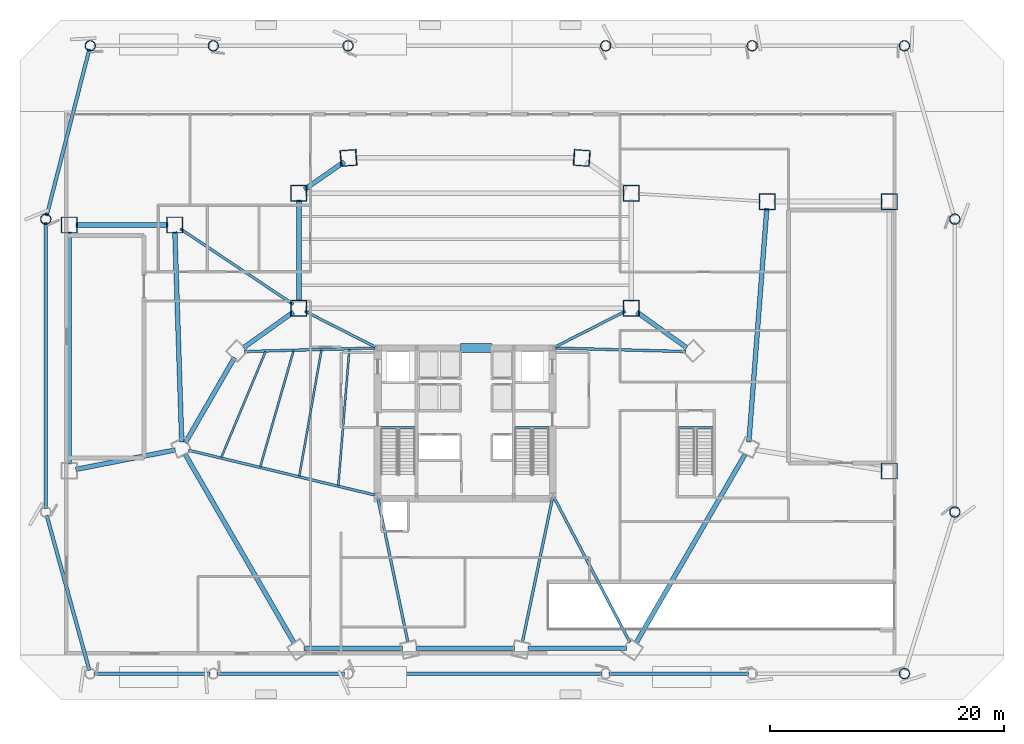
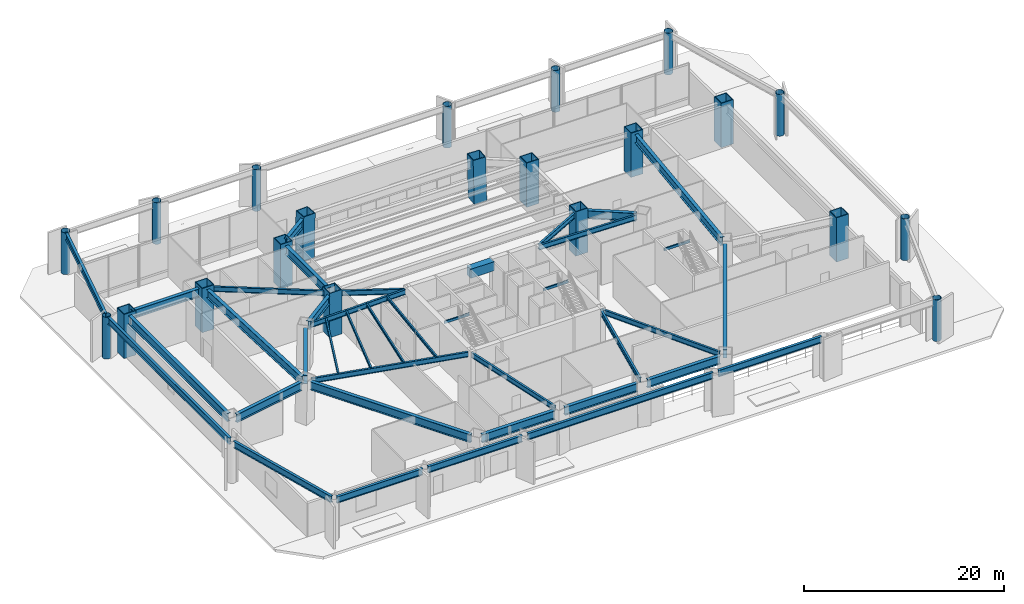
# One storey, part 3 of 19: 39 beams, 21 columns.
"""IFC4 building model written with IfcOpenShell, lengths in metres."""

import ifcopenshell
import ifcopenshell.guid

model = None  # the IFC model being written
_history = None  # IfcOwnerHistory: only IFC2X3 demands one
_inside = {}  # id of a spatial element -> (the spatial element, [elements in it])
_under = {}  # id of a project, library or spatial element -> (it, [spatial elements below it])
_declared = {}  # id of a project -> (the project, [libraries it declares])
_typed = {}  # id of a type object -> (the type object, [elements of that type])
_made_of = {}  # id of a material, layer set ... -> (it, [elements and type objects made of it])


def new_model(schema):
    """Start an empty IFC model of exactly this schema.

    Asked for "IFC4X3", IfcOpenShell would pick the latest addendum, in which some entities
    have other attributes; the version numbers below select the first issue.
    IFC2X3 requires an IfcOwnerHistory on every rooted entity: one is made here for all.
    """
    global model, _history
    if schema == "IFC4X3":
        model = ifcopenshell.file(schema_version=(4, 3, 0, 0))
    else:
        model = ifcopenshell.file(schema=schema)
    _inside.clear()
    _under.clear()
    _declared.clear()
    _typed.clear()
    _made_of.clear()
    _history = None
    if model.schema == "IFC2X3":
        org = make("IfcOrganization", Name="unknown")
        user = make(
            "IfcPersonAndOrganization",
            ThePerson=make("IfcPerson", FamilyName="unknown"),
            TheOrganization=org,
        )
        app = make(
            "IfcApplication",
            ApplicationDeveloper=org,
            Version="unknown",
            ApplicationFullName="unknown",
            ApplicationIdentifier="unknown",
        )
        _history = make(
            "IfcOwnerHistory",
            OwningUser=user,
            OwningApplication=app,
            ChangeAction="ADDED",
            CreationDate=0,
        )
    return model


def make(cls, **values):
    """One entity of the class cls with the attributes given. An attribute that is None is left unset."""
    return model.create_entity(
        cls, **{name: value for name, value in values.items() if value is not None}
    )


def rooted(cls, **values):
    """An entity with a GlobalId (a new one), such as an element, a storey or a relation."""
    return make(cls, GlobalId=ifcopenshell.guid.new(), OwnerHistory=_history, **values)


def si_unit(unit_type, name, prefix=None):
    """IfcSIUnit, for example si_unit("LENGTHUNIT", "METRE", prefix="MILLI")."""
    return make("IfcSIUnit", UnitType=unit_type, Prefix=prefix, Name=name)


def assignment(units):
    """IfcUnitAssignment: the units of a project."""
    return None if units is None else make("IfcUnitAssignment", Units=units)


def point(xyz):
    """IfcCartesianPoint."""
    return None if xyz is None else make("IfcCartesianPoint", Coordinates=xyz)


def direction(xyz):
    """IfcDirection."""
    return None if xyz is None else make("IfcDirection", DirectionRatios=xyz)


def frame(location, z_axis=None, x_axis=None):
    """IfcAxis2Placement3D, a coordinate frame: its origin and axes. An axis left out is left unset."""
    return make(
        "IfcAxis2Placement3D",
        Location=point(location),
        Axis=direction(z_axis),
        RefDirection=direction(x_axis),
    )


def frame_2d(location, x_axis=None):
    """IfcAxis2Placement2D, a coordinate frame in the plane: its origin and x axis."""
    return make(
        "IfcAxis2Placement2D", Location=point(location), RefDirection=direction(x_axis)
    )


def origin():
    """The frame at (0, 0, 0) with its axes left unset."""
    return frame((0.0, 0.0, 0.0))


def origin_2d():
    """The frame at (0, 0) in the plane with its x axis left unset."""
    return frame_2d((0.0, 0.0))


def place(relative_to, where):
    """IfcLocalPlacement: puts the frame where relative to a parent placement (None: the world)."""
    return make(
        "IfcLocalPlacement", PlacementRelTo=relative_to, RelativePlacement=where
    )


def context(
    kind, dimensions, precision=None, world=None, true_north=None, identifier=None
):
    """IfcGeometricRepresentationContext, for example the 3D "Model" context."""
    return make(
        "IfcGeometricRepresentationContext",
        ContextIdentifier=identifier,
        ContextType=kind,
        CoordinateSpaceDimension=dimensions,
        Precision=precision,
        WorldCoordinateSystem=world,
        TrueNorth=true_north,
    )


def subcontext(parent, identifier, kind, view, scale=None):
    """IfcGeometricRepresentationSubContext, for example "Body" below "Model"."""
    return make(
        "IfcGeometricRepresentationSubContext",
        ContextIdentifier=identifier,
        ContextType=kind,
        ParentContext=parent,
        TargetScale=scale,
        TargetView=view,
    )


def project(units=None, contexts=None):
    """IfcProject with its units and contexts."""
    return rooted(
        "IfcProject",
        Name="project",
        RepresentationContexts=contexts,
        UnitsInContext=assignment(units),
    )


def spatial(cls, under=None, at=None, **own):
    """A site, building, storey or space (cls), placed at a placement, below another one or the project."""
    s = rooted(cls, ObjectPlacement=at, **own)
    if under is not None:
        _under.setdefault(under.id(), (under, []))[1].append(s)
    return s


def profile(cls, at=None, kind="AREA", **sizes):
    """A parametric profile (cls). Its sizes go by their IFC names, for example OverallWidth=200.0."""
    return make(cls, ProfileType=kind, Position=at, **sizes)


def rectangle(**sizes):
    """IfcRectangleProfileDef."""
    return profile("IfcRectangleProfileDef", **sizes)


def hollow_rectangle(**sizes):
    """IfcRectangleHollowProfileDef."""
    return profile("IfcRectangleHollowProfileDef", **sizes)


def hollow_circle(**sizes):
    """IfcCircleHollowProfileDef."""
    return profile("IfcCircleHollowProfileDef", **sizes)


def i_section(**sizes):
    """IfcIShapeProfileDef."""
    return profile("IfcIShapeProfileDef", **sizes)


def extrude(swept, where, along, depth):
    """IfcExtrudedAreaSolid: the profile swept, set in the frame where, extruded along a direction by depth."""
    return make(
        "IfcExtrudedAreaSolid",
        SweptArea=swept,
        Position=where,
        ExtrudedDirection=direction(along),
        Depth=depth,
    )


def shape(context_of_items, identifier, shape_type, items):
    """IfcShapeRepresentation: the items that make up one representation, for example the "Body"."""
    return make(
        "IfcShapeRepresentation",
        ContextOfItems=context_of_items,
        RepresentationIdentifier=identifier,
        RepresentationType=shape_type,
        Items=items,
    )


def source(mapping_origin, context_of_items, identifier, shape_type, items):
    """IfcRepresentationMap: a shape defined once, which mapped items show again and again."""
    return make(
        "IfcRepresentationMap",
        MappingOrigin=mapping_origin,
        MappedRepresentation=shape(context_of_items, identifier, shape_type, items),
    )


def transform(
    local_origin,
    x_axis=None,
    y_axis=None,
    z_axis=None,
    scale=None,
    scale2=None,
    scale3=None,
    uniform=True,
):
    """IfcCartesianTransformationOperator3D, or its non-uniform kind. x_axis, y_axis, z_axis: its Axis1, 2, 3."""
    if uniform:
        return make(
            "IfcCartesianTransformationOperator3D",
            Axis1=direction(x_axis),
            Axis2=direction(y_axis),
            LocalOrigin=point(local_origin),
            Scale=scale,
            Axis3=direction(z_axis),
        )
    return make(
        "IfcCartesianTransformationOperator3DnonUniform",
        Axis1=direction(x_axis),
        Axis2=direction(y_axis),
        LocalOrigin=point(local_origin),
        Scale=scale,
        Axis3=direction(z_axis),
        Scale2=scale2,
        Scale3=scale3,
    )


def mapped(mapping_source, mapping_target):
    """IfcMappedItem: shows the shape of a source again, moved by a transform."""
    return make(
        "IfcMappedItem", MappingSource=mapping_source, MappingTarget=mapping_target
    )


def material(Name=None, Category=None):
    """IfcMaterial."""
    return make("IfcMaterial", Name=Name, Category=Category)


def material_profile(
    of_material, cross_section, Name=None, Category=None, Priority=None
):
    """IfcMaterialProfile: a cross section and its material."""
    return make(
        "IfcMaterialProfile",
        Name=Name,
        Material=of_material,
        Profile=cross_section,
        Priority=Priority,
        Category=Category,
    )


def profile_set(profiles, Name=None, composite=None):
    """IfcMaterialProfileSet."""
    return make(
        "IfcMaterialProfileSet",
        Name=Name,
        MaterialProfiles=profiles,
        CompositeProfile=composite,
    )


def made_of(thing, what):
    """Note that an element or type object is made of a material, layer set ...; save() writes the relation."""
    if what is not None:
        _made_of.setdefault(what.id(), (what, []))[1].append(thing)
    return thing


def type_object(cls, material=None, **own):
    """A type object (cls), such as IfcWallType, which elements share."""
    return made_of(rooted(cls, **own), material)


def type_shapes(of_type, sources):
    """Give a type object the sources (RepresentationMaps) that its elements show as mapped items."""
    of_type.RepresentationMaps = sources


def element(
    cls,
    number,
    at=None,
    inside=None,
    cuts=None,
    type_object=None,
    material=None,
    context=None,
    identifier="Body",
    shape_type=None,
    held_by="IfcProductDefinitionShape",
    body=None,
    shapes=None,
    **own,
):
    """One element of the class cls, such as IfcWall. Its Tag is "e" and its number.

    at: its placement. inside: the storey or other place that contains it. cuts: it is an
    opening in that element (IfcRelVoidsElement). A single representation is given by context,
    identifier, shape_type and body (its items); several are given by shapes. held_by: the class
    of the entity that holds the representations. save() writes the other relations.
    """
    e = rooted(cls, Tag="e%d" % number, ObjectPlacement=at, **own)
    if body is not None:
        shapes = [shape(context, identifier, shape_type, body)]
    if shapes is not None:
        e.Representation = make(held_by, Representations=shapes)
    if inside is not None:
        _inside.setdefault(inside.id(), (inside, []))[1].append(e)
    if cuts is not None:
        rooted(
            "IfcRelVoidsElement", RelatingBuildingElement=cuts, RelatedOpeningElement=e
        )
    if type_object is not None:
        _typed.setdefault(type_object.id(), (type_object, []))[1].append(e)
    return made_of(e, material)


def aggregate(whole, parts):
    """IfcRelAggregates: a whole, such as a stair, and the parts it consists of."""
    return rooted("IfcRelAggregates", RelatingObject=whole, RelatedObjects=parts)


def save(model, path):
    """Write the relations noted so far, then the file.

    IfcRelAggregates (storeys below a building ...), IfcRelContainedInSpatialStructure (elements
    in a storey), IfcRelDefinesByType, IfcRelAssociatesMaterial and IfcRelDeclares: one each for
    every whole, place, type object, material and project.
    """
    for whole, parts in _under.values():
        aggregate(whole, parts)
    for where, things in _inside.values():
        rooted(
            "IfcRelContainedInSpatialStructure",
            RelatedElements=things,
            RelatingStructure=where,
        )
    for kind, things in _typed.values():
        rooted("IfcRelDefinesByType", RelatedObjects=things, RelatingType=kind)
    for what, things in _made_of.values():
        rooted("IfcRelAssociatesMaterial", RelatedObjects=things, RelatingMaterial=what)
    for by, libraries in _declared.values():
        rooted("IfcRelDeclares", RelatingContext=by, RelatedDefinitions=libraries)
    model.write(path)


model = new_model("IFC4")

# Units and contexts
model_context = context("Model", 3, precision=1e-05, world=origin(), true_north=direction((0.0, 1.0)))
body_context = subcontext(model_context, "Body", "Model", "MODEL_VIEW")
ifc_project = project(units=[si_unit("LENGTHUNIT", "METRE"), si_unit("AREAUNIT", "SQUARE_METRE"), si_unit("VOLUMEUNIT", "CUBIC_METRE"), si_unit("PLANEANGLEUNIT", "RADIAN"), si_unit("MASSUNIT", "GRAM", prefix="KILO")], contexts=[model_context])

# Site, building, storey
site_placement = place(None, origin())
site = spatial("IfcSite", under=ifc_project, at=site_placement, CompositionType="ELEMENT")
building_placement = place(site_placement, origin())
building = spatial("IfcBuilding", under=site, at=building_placement, Name="Caelisora Broadcast Tower", CompositionType="ELEMENT")
storey_placement = place(building_placement, origin())
storey = spatial("IfcBuildingStorey", under=building, at=storey_placement, Name="L00", CompositionType="ELEMENT", Elevation=0.0)

# Columns
ifc_material_1 = material(Name="Steel Grade 350 L15 (AS/NZS 3678)", Category="steel")
ifc_material_profile_1 = material_profile(ifc_material_1, hollow_rectangle(XDim=1.39990234375, YDim=1.39990234375, WallThickness=0.080078125, at=origin_2d()), Name="Steel Grade 350 L15 (AS/NZS 3678)")
ifc_profile_set_1 = profile_set([ifc_material_profile_1], Name="Steel Grade 350 L15 (AS/NZS 3678)")
column_type_1 = type_object("IfcColumnType", Name="MC01", PredefinedType="COLUMN", material=ifc_profile_set_1)
shared_shape_1 = source(origin(), body_context, "Body", "SweptSolid", [
    extrude(hollow_rectangle(XDim=1.39990234375, YDim=1.39990234375, WallThickness=0.080078125, at=origin_2d()), origin(), (0.0, 0.0, 1.0), 5.4013671875),
])
for number, where, z_axis, x_axis, name in (
    (1, (47.970703125, 46.223388671875, 0.0), (-0.023865123355, 0.001762764793, 0.999713633271), (-0.07366296315, -0.997283193411, 0.0), "L00 column MC01"),
    (2, (28.029296875, 46.223388671875, 0.0), (0.023865123355, 0.001762764793, 0.999713633271), (-0.07366296315, 0.997283193411, 0.0), "L00 column MC01"),
):
    element("IfcColumn", number, at=place(storey_placement, frame(where, z_axis=z_axis, x_axis=x_axis)), inside=storey, type_object=column_type_1, Name=name, PredefinedType="COLUMN", context=body_context, shape_type="MappedRepresentation", body=[
        mapped(shared_shape_1, transform((0.0, 0.0, 0.0), scale=1.0)),
    ])
shared_shape_2 = source(origin(), body_context, "Body", "SweptSolid", [
    extrude(hollow_rectangle(XDim=1.39990234375, YDim=1.39990234375, WallThickness=0.080078125, at=origin_2d()), origin(), (0.0, 0.0, 1.0), 5.39990234375),
])
type_shapes(column_type_1, [shared_shape_1, shared_shape_2])
for number, where, z_axis, x_axis, name in (
    (3, (23.81103515625, 33.39990234375, 0.0), (0.0, 0.0, 1.0), (1.0, 0.0, 0.0), "L00 column MC01"),
    (4, (23.81103515625, 43.199951171875, 0.0), (0.0, 0.0, 1.0), (1.0, 0.0, 0.0), "L00 column MC01"),
    (5, (52.18896484375, 33.39990234375, 0.0), (0.0, 0.0, 1.0), (1.0, 0.0, 0.0), "L00 column MC01"),
    (6, (52.18896484375, 43.199951171875, 0.0), (0.0, 0.0, 1.0), (1.0, 0.0, 0.0), "L00 column MC01"),
    (7, (4.199951171875, 40.5, 0.0), (0.0, 0.0, 1.0), (1.0, 0.0, 0.0), "L00 column MC01"),
    (8, (74.199951171875, 19.5, 0.0), (0.0, 0.0, 1.0), (1.0, 0.0, 0.0), "L00 column MC01"),
    (9, (74.199951171875, 42.5, 0.0), (0.0, 0.0, 1.0), (1.0, 0.0, 0.0), "L00 column MC01"),
    (10, (13.199951171875, 40.5, 0.0), (0.0, 0.0, 1.0), (1.0, 0.0, 0.0), "L00 column MC01"),
    (11, (63.800048828125, 42.5, 0.0), (0.0, 0.0, 1.0), (1.0, 0.0, 0.0), "L00 column MC01"),
):
    element("IfcColumn", number, at=place(storey_placement, frame(where, z_axis=z_axis, x_axis=x_axis)), inside=storey, type_object=column_type_1, Name=name, PredefinedType="COLUMN", context=body_context, shape_type="MappedRepresentation", body=[
        mapped(shared_shape_2, transform((0.0, 0.0, 0.0), scale=1.0)),
    ])
ifc_material_profile_2 = material_profile(ifc_material_1, hollow_circle(Radius=0.449951171875, WallThickness=0.0400390625, at=origin_2d()), Name="Steel Grade 350 L15 (AS/NZS 3678)")
ifc_profile_set_2 = profile_set([ifc_material_profile_2], Name="Steel Grade 350 L15 (AS/NZS 3678)")
column_type_2 = type_object("IfcColumnType", Name="PC02", PredefinedType="COLUMN", material=ifc_profile_set_2)
shared_shape_3 = source(origin(), body_context, "Body", "SweptSolid", [
    extrude(hollow_circle(Radius=0.449951171875, WallThickness=0.0400390625, at=origin_2d()), origin(), (0.0, 0.0, 1.0), 5.080078125),
])
type_shapes(column_type_2, [shared_shape_3])
for number, where, z_axis, x_axis, name in (
    (12, (75.5, 2.199951171875, 0.0), (0.0, 0.0, 1.0), (1.0, 0.0, 0.0), "L00 column PC02"),
    (13, (6.0, 55.800048828125, 0.0), (0.0, 0.0, 1.0), (1.0, 0.0, 0.0), "L00 column PC02"),
    (14, (16.5, 55.800048828125, 0.0), (0.0, 0.0, 1.0), (1.0, 0.0, 0.0), "L00 column PC02"),
    (15, (28.0, 55.800048828125, 0.0), (0.0, 0.0, 1.0), (1.0, 0.0, 0.0), "L00 column PC02"),
    (16, (50.0, 55.800048828125, 0.0), (0.0, 0.0, 1.0), (1.0, 0.0, 0.0), "L00 column PC02"),
    (17, (62.5, 55.800048828125, 0.0), (0.0, 0.0, 1.0), (1.0, 0.0, 0.0), "L00 column PC02"),
    (18, (75.5, 55.800048828125, 0.0), (0.0, 0.0, 1.0), (1.0, 0.0, 0.0), "L00 column PC02"),
    (19, (2.199951171875, 41.0, 0.0), (0.0, 0.0, 1.0), (1.0, 0.0, 0.0), "L00 column PC02"),
    (20, (79.800048828125, 16.0, 0.0), (0.0, 0.0, 1.0), (1.0, 0.0, 0.0), "L00 column PC02"),
    (21, (79.800048828125, 41.0, 0.0), (0.0, 0.0, 1.0), (1.0, 0.0, 0.0), "L00 column PC02"),
):
    element("IfcColumn", number, at=place(storey_placement, frame(where, z_axis=z_axis, x_axis=x_axis)), inside=storey, type_object=column_type_2, Name=name, PredefinedType="COLUMN", context=body_context, shape_type="MappedRepresentation", body=[
        mapped(shared_shape_3, transform((0.0, 0.0, 0.0), scale=1.0)),
    ])

# Beams
ifc_material_2 = material(Name="Steel Grade 350 (AS/NZS 1163 C350L0)", Category="steel")
ifc_material_profile_3 = material_profile(ifc_material_2, hollow_rectangle(XDim=0.14990234375, YDim=0.300048828125, WallThickness=0.010009765625, at=origin_2d()), Name="Steel Grade 350 (AS/NZS 1163 C350L0)")
ifc_profile_set_3 = profile_set([ifc_material_profile_3], Name="Steel Grade 350 (AS/NZS 1163 C350L0)")
beam_type_1 = type_object("IfcBeamType", Name="SB05", PredefinedType="JOIST", material=ifc_profile_set_3)
shared_shape_4 = source(origin(), body_context, "Body", "SweptSolid", [
    extrude(hollow_rectangle(XDim=0.14990234375, YDim=0.300048828125, WallThickness=0.010009765625, at=origin_2d()), origin(), (0.0, 0.0, 1.0), 2.89990234375),
])
for number, where, z_axis, x_axis, name in (
    (22, (30.840087890625, 23.219970703125, 4.929931640625), (1.0, 0.0, 0.0), (0.0, 1.0, 0.0), "L00 beam SB05"),
    (23, (42.260009765625, 23.219970703125, 4.929931640625), (1.0, 0.0, 0.0), (0.0, 1.0, 0.0), "L00 beam SB05"),
):
    element("IfcBeam", number, at=place(storey_placement, frame(where, z_axis=z_axis, x_axis=x_axis)), inside=storey, type_object=beam_type_1, Name=name, PredefinedType="JOIST", context=body_context, shape_type="MappedRepresentation", body=[
        mapped(shared_shape_4, transform((0.0, 0.0, 0.0), scale=1.0)),
    ])
ifc_material_3 = material(Name="Concrete 65 MPa (AS 3600 S65)", Category="concrete")
ifc_material_profile_4 = material_profile(ifc_material_3, rectangle(XDim=0.800048828125, YDim=1.10009765625, at=origin_2d()), Name="Concrete 65 MPa (AS 3600 S65)")
ifc_profile_set_4 = profile_set([ifc_material_profile_4], Name="Concrete 65 MPa (AS 3600 S65)")
beam_type_2 = type_object("IfcBeamType", Name="CB01", PredefinedType="LINTEL", material=ifc_profile_set_4)
shared_shape_5 = source(origin(), body_context, "Body", "SweptSolid", [
    extrude(rectangle(XDim=0.800048828125, YDim=1.10009765625, at=origin_2d()), origin(), (0.0, 0.0, 1.0), 2.699951171875),
])
type_shapes(beam_type_2, [shared_shape_5])
beam_1_placement = place(storey_placement, frame((37.60009765625, 30.0, 4.60009765625), z_axis=(1.0, 0.0, 0.0), x_axis=(0.0, 1.0, 0.0)))
element("IfcBeam", 24, at=beam_1_placement, inside=storey, type_object=beam_type_2, Name="L00 beam CB01", PredefinedType="LINTEL", context=body_context, shape_type="MappedRepresentation", body=[
    mapped(shared_shape_5, transform((0.0, 0.0, 0.0), scale=1.0)),
])
shared_shape_6 = source(origin(), body_context, "Body", "SweptSolid", [
    extrude(hollow_rectangle(XDim=0.14990234375, YDim=0.300048828125, WallThickness=0.010009765625, at=origin_2d()), origin(), (0.0, 0.0, 1.0), 2.9599609375),
])
type_shapes(beam_type_1, [shared_shape_4, shared_shape_6])
beam_2_placement = place(storey_placement, frame((56.199951171875, 23.219970703125, 4.929931640625), z_axis=(1.0, 0.0, 0.0), x_axis=(0.0, 1.0, 0.0)))
element("IfcBeam", 25, at=beam_2_placement, inside=storey, type_object=beam_type_1, Name="L00 beam SB05", PredefinedType="JOIST", context=body_context, shape_type="MappedRepresentation", body=[
    mapped(shared_shape_6, transform((0.0, 0.0, 0.0), scale=1.0)),
])
ifc_material_4 = material(Name="Steel Grade 350 (AS/NZS 3679.2)", Category="steel")
ifc_material_profile_5 = material_profile(ifc_material_4, i_section(OverallWidth=0.300048828125, OverallDepth=0.800048828125, WebThickness=0.013916015625, FlangeThickness=0.02392578125, at=origin_2d()), Name="Steel Grade 350 (AS/NZS 3679.2)")
ifc_profile_set_5 = profile_set([ifc_material_profile_5], Name="Steel Grade 350 (AS/NZS 3679.2)")
beam_type_3 = type_object("IfcBeamType", Name="PG02", PredefinedType="BEAM", material=ifc_profile_set_5)
shared_shape_7 = source(origin(), body_context, "Body", "SweptSolid", [
    extrude(i_section(OverallWidth=0.300048828125, OverallDepth=0.800048828125, WebThickness=0.013916015625, FlangeThickness=0.02392578125, at=origin_2d()), origin(), (0.0, 0.0, 1.0), 9.89990234375),
])
beam_3_placement = place(storey_placement, frame((6.300048828125, 2.199951171875, 4.679931640625), z_axis=(1.0, 0.0, 0.0), x_axis=(0.0, 1.0, 0.0)))
element("IfcBeam", 26, at=beam_3_placement, inside=storey, type_object=beam_type_3, Name="L00 beam PG02", PredefinedType="BEAM", context=body_context, shape_type="MappedRepresentation", body=[
    mapped(shared_shape_7, transform((0.0, 0.0, 0.0), scale=1.0)),
])
shared_shape_8 = source(origin(), body_context, "Body", "SweptSolid", [
    extrude(i_section(OverallWidth=0.300048828125, OverallDepth=0.800048828125, WebThickness=0.013916015625, FlangeThickness=0.02392578125, at=origin_2d()), origin(), (0.0, 0.0, 1.0), 10.89990234375),
])
beam_4_placement = place(storey_placement, frame((16.800048828125, 2.199951171875, 4.679931640625), z_axis=(1.0, 0.0, 0.0), x_axis=(0.0, 1.0, 0.0)))
element("IfcBeam", 27, at=beam_4_placement, inside=storey, type_object=beam_type_3, Name="L00 beam PG02", PredefinedType="BEAM", context=body_context, shape_type="MappedRepresentation", body=[
    mapped(shared_shape_8, transform((0.0, 0.0, 0.0), scale=1.0)),
])
shared_shape_9 = source(origin(), body_context, "Body", "SweptSolid", [
    extrude(i_section(OverallWidth=0.300048828125, OverallDepth=0.800048828125, WebThickness=0.013916015625, FlangeThickness=0.02392578125, at=origin_2d()), origin(), (0.0, 0.0, 1.0), 21.39990234375),
])
beam_5_placement = place(storey_placement, frame((28.300048828125, 2.199951171875, 4.679931640625), z_axis=(1.0, 0.0, 0.0), x_axis=(0.0, 1.0, 0.0)))
element("IfcBeam", 28, at=beam_5_placement, inside=storey, type_object=beam_type_3, Name="L00 beam PG02", PredefinedType="BEAM", context=body_context, shape_type="MappedRepresentation", body=[
    mapped(shared_shape_9, transform((0.0, 0.0, 0.0), scale=1.0)),
])
shared_shape_10 = source(origin(), body_context, "Body", "SweptSolid", [
    extrude(i_section(OverallWidth=0.300048828125, OverallDepth=0.800048828125, WebThickness=0.013916015625, FlangeThickness=0.02392578125, at=origin_2d()), origin(), (0.0, 0.0, 1.0), 11.89990234375),
])
beam_6_placement = place(storey_placement, frame((50.300048828125, 2.199951171875, 4.679931640625), z_axis=(1.0, 0.0, 0.0), x_axis=(0.0, 1.0, 0.0)))
element("IfcBeam", 29, at=beam_6_placement, inside=storey, type_object=beam_type_3, Name="L00 beam PG02", PredefinedType="BEAM", context=body_context, shape_type="MappedRepresentation", body=[
    mapped(shared_shape_10, transform((0.0, 0.0, 0.0), scale=1.0)),
])
shared_shape_11 = source(origin(), body_context, "Body", "SweptSolid", [
    extrude(i_section(OverallWidth=0.300048828125, OverallDepth=0.800048828125, WebThickness=0.013916015625, FlangeThickness=0.02392578125, at=origin_2d()), origin(), (0.0, 0.0, 1.0), 13.713623046875),
])
beam_7_placement = place(storey_placement, frame((5.92041015625, 2.4892578125, 4.679931640625), z_axis=(-0.265493696589, 0.96411259564, 0.0), x_axis=(-0.96411259564, -0.265493696589, 0.0)))
element("IfcBeam", 30, at=beam_7_placement, inside=storey, type_object=beam_type_3, Name="L00 beam PG02", PredefinedType="BEAM", context=body_context, shape_type="MappedRepresentation", body=[
    mapped(shared_shape_11, transform((0.0, 0.0, 0.0), scale=1.0)),
])
shared_shape_12 = source(origin(), body_context, "Body", "SweptSolid", [
    extrude(i_section(OverallWidth=0.300048828125, OverallDepth=0.800048828125, WebThickness=0.013916015625, FlangeThickness=0.02392578125, at=origin_2d()), origin(), (0.0, 0.0, 1.0), 24.39990234375),
])
beam_8_placement = place(storey_placement, frame((2.199951171875, 16.300048828125, 4.679931640625), z_axis=(0.0, 1.0, 0.0), x_axis=(-1.0, 0.0, 0.0)))
element("IfcBeam", 31, at=beam_8_placement, inside=storey, type_object=beam_type_3, Name="L00 beam PG02", PredefinedType="BEAM", context=body_context, shape_type="MappedRepresentation", body=[
    mapped(shared_shape_12, transform((0.0, 0.0, 0.0), scale=1.0)),
])
shared_shape_13 = source(origin(), body_context, "Body", "SweptSolid", [
    extrude(i_section(OverallWidth=0.300048828125, OverallDepth=0.800048828125, WebThickness=0.013916015625, FlangeThickness=0.02392578125, at=origin_2d()), origin(), (0.0, 0.0, 1.0), 14.68017578125),
])
type_shapes(beam_type_3, [shared_shape_7, shared_shape_8, shared_shape_9, shared_shape_10, shared_shape_11, shared_shape_12, shared_shape_13])
beam_9_placement = place(storey_placement, frame((2.274658203125, 41.29052734375, 4.679931640625), z_axis=(0.248678229499, 0.968586154234, 0.0), x_axis=(-0.968586154234, 0.248678229499, 0.0)))
element("IfcBeam", 32, at=beam_9_placement, inside=storey, type_object=beam_type_3, Name="L00 beam PG02", PredefinedType="BEAM", context=body_context, shape_type="MappedRepresentation", body=[
    mapped(shared_shape_13, transform((0.0, 0.0, 0.0), scale=1.0)),
])
ifc_material_5 = material(Name="Steel Grade 350 (AS/NZS 3679.1)", Category="steel")
ifc_material_profile_6 = material_profile(ifc_material_5, i_section(OverallWidth=0.22900390625, OverallDepth=0.611572265625, WebThickness=0.011962890625, FlangeThickness=0.01953125, at=origin_2d()), Name="Steel Grade 350 (AS/NZS 3679.1)")
ifc_profile_set_6 = profile_set([ifc_material_profile_6], Name="Steel Grade 350 (AS/NZS 3679.1)")
beam_type_4 = type_object("IfcBeamType", Name="PG03", PredefinedType="BEAM", material=ifc_profile_set_6)
shared_shape_14 = source(origin(), body_context, "Body", "SweptSolid", [
    extrude(i_section(OverallWidth=0.22900390625, OverallDepth=0.611572265625, WebThickness=0.011962890625, FlangeThickness=0.01953125, at=origin_2d()), origin(), (0.0, 0.0, 1.0), 6.7236328125),
])
for number, where, z_axis, x_axis, name in (
    (33, (45.67822265625, 30.090576171875, 4.774169921875), (0.891452005552, 0.453115130841, 0.0), (-0.453115130841, 0.891452005552, 0.0), "L00 beam PG03"),
    (34, (30.32177734375, 30.090576171875, 4.774169921875), (-0.891452005552, 0.453115130841, 0.0), (-0.453115130841, -0.891452005552, 0.0), "L00 beam PG03"),
):
    element("IfcBeam", number, at=place(storey_placement, frame(where, z_axis=z_axis, x_axis=x_axis)), inside=storey, type_object=beam_type_4, Name=name, PredefinedType="BEAM", context=body_context, shape_type="MappedRepresentation", body=[
        mapped(shared_shape_14, transform((0.0, 0.0, 0.0), scale=1.0)),
    ])
ifc_material_profile_7 = material_profile(ifc_material_4, i_section(OverallWidth=0.39990234375, OverallDepth=1.0, WebThickness=0.01611328125, FlangeThickness=0.028076171875, at=origin_2d()), Name="Steel Grade 350 (AS/NZS 3679.2)")
ifc_profile_set_7 = profile_set([ifc_material_profile_7], Name="Steel Grade 350 (AS/NZS 3679.2)")
beam_type_5 = type_object("IfcBeamType", Name="PG01", PredefinedType="BEAM", material=ifc_profile_set_7)
shared_shape_15 = source(origin(), body_context, "Body", "SweptSolid", [
    extrude(i_section(OverallWidth=0.39990234375, OverallDepth=1.0, WebThickness=0.01611328125, FlangeThickness=0.028076171875, at=origin_2d()), origin(), (0.0, 0.0, 1.0), 7.840087890625),
])
beam_10_placement = place(storey_placement, frame((4.780029296875, 40.5, 4.580078125), z_axis=(1.0, 0.0, 0.0), x_axis=(0.0, 1.0, 0.0)))
element("IfcBeam", 35, at=beam_10_placement, inside=storey, type_object=beam_type_5, Name="L00 beam PG01", PredefinedType="BEAM", context=body_context, shape_type="MappedRepresentation", body=[
    mapped(shared_shape_15, transform((0.0, 0.0, 0.0), scale=1.0)),
])
shared_shape_16 = source(origin(), body_context, "Body", "SweptSolid", [
    extrude(i_section(OverallWidth=0.39990234375, OverallDepth=1.0, WebThickness=0.01611328125, FlangeThickness=0.028076171875, at=origin_2d()), origin(), (0.0, 0.0, 1.0), 19.81396484375),
])
beam_11_placement = place(storey_placement, frame((4.199951171875, 20.10595703125, 4.580078125), z_axis=(0.0, 1.0, 0.0), x_axis=(-1.0, 0.0, 0.0)))
element("IfcBeam", 36, at=beam_11_placement, inside=storey, type_object=beam_type_5, Name="L00 beam PG01", PredefinedType="BEAM", context=body_context, shape_type="MappedRepresentation", body=[
    mapped(shared_shape_16, transform((0.0, 0.0, 0.0), scale=1.0)),
])
shared_shape_17 = source(origin(), body_context, "Body", "SweptSolid", [
    extrude(i_section(OverallWidth=0.22900390625, OverallDepth=0.611572265625, WebThickness=0.011962890625, FlangeThickness=0.01953125, at=origin_2d()), origin(), (0.0, 0.0, 1.0), 11.607666015625),
])
beam_12_placement = place(storey_placement, frame((13.681884765625, 40.177490234375, 4.774169921875), z_axis=(0.831110717698, -0.556106981549, 0.0), x_axis=(0.556106981549, 0.831110717698, 0.0)))
element("IfcBeam", 37, at=beam_12_placement, inside=storey, type_object=beam_type_4, Name="L00 beam PG03", PredefinedType="BEAM", context=body_context, shape_type="MappedRepresentation", body=[
    mapped(shared_shape_17, transform((0.0, 0.0, 0.0), scale=1.0)),
])
shared_shape_18 = source(origin(), body_context, "Body", "SweptSolid", [
    extrude(i_section(OverallWidth=0.39990234375, OverallDepth=1.0, WebThickness=0.01611328125, FlangeThickness=0.028076171875, at=origin_2d()), origin(), (0.0, 0.0, 1.0), 8.64013671875),
])
beam_13_placement = place(storey_placement, frame((23.81103515625, 33.97998046875, 4.580078125), z_axis=(0.0, 1.0, 0.0), x_axis=(-1.0, 0.0, 0.0)))
element("IfcBeam", 38, at=beam_13_placement, inside=storey, type_object=beam_type_5, Name="L00 beam PG01", PredefinedType="BEAM", context=body_context, shape_type="MappedRepresentation", body=[
    mapped(shared_shape_18, transform((0.0, 0.0, 0.0), scale=1.0)),
])
shared_shape_19 = source(origin(), body_context, "Body", "SweptSolid", [
    extrude(i_section(OverallWidth=0.39990234375, OverallDepth=1.0, WebThickness=0.01611328125, FlangeThickness=0.028076171875, at=origin_2d()), origin(), (0.0, 0.0, 1.0), 4.140625),
])
beam_14_placement = place(storey_placement, frame((27.6826171875, 45.901123046875, 4.580078125), z_axis=(-0.820144970296, -0.572155772232, 0.0), x_axis=(0.572155772232, -0.820144970296, 0.0)))
element("IfcBeam", 39, at=beam_14_placement, inside=storey, type_object=beam_type_5, Name="L00 beam PG01", PredefinedType="BEAM", context=body_context, shape_type="MappedRepresentation", body=[
    mapped(shared_shape_19, transform((0.0, 0.0, 0.0), scale=1.0)),
])
shared_shape_20 = source(origin(), body_context, "Body", "SweptSolid", [
    extrude(i_section(OverallWidth=0.39990234375, OverallDepth=1.0, WebThickness=0.01611328125, FlangeThickness=0.028076171875, at=origin_2d()), origin(), (0.0, 0.0, 1.0), 5.2392578125),
])
for number, where, z_axis, x_axis, name in (
    (40, (23.3388671875, 33.06298828125, 4.580078125), (-0.813903460883, -0.581000134564, 0.0), (0.581000134564, -0.813903460883, 0.0), "L00 beam PG01"),
    (41, (56.92529296875, 30.01904296875, 4.580078125), (-0.813903460883, 0.581000134564, 0.0), (-0.581000134564, -0.813903460883, 0.0), "L00 beam PG01"),
):
    element("IfcBeam", number, at=place(storey_placement, frame(where, z_axis=z_axis, x_axis=x_axis)), inside=storey, type_object=beam_type_5, Name=name, PredefinedType="BEAM", context=body_context, shape_type="MappedRepresentation", body=[
        mapped(shared_shape_20, transform((0.0, 0.0, 0.0), scale=1.0)),
    ])
shared_shape_21 = source(origin(), body_context, "Body", "SweptSolid", [
    extrude(i_section(OverallWidth=0.39990234375, OverallDepth=1.0, WebThickness=0.01611328125, FlangeThickness=0.028076171875, at=origin_2d()), origin(), (0.0, 0.0, 1.0), 8.3955078125),
])
for number, where, z_axis, x_axis, name in (
    (42, (18.312744140625, 29.1796875, 4.580078125), (-0.500032910722, -0.866006401936, 0.0), (0.866006401936, -0.500032910722, 0.0), "L00 beam PG01"),
    (43, (24.24658203125, 4.3603515625, 4.580078125), (1.0, 0.0, 0.0), (0.0, 1.0, 0.0), "L00 beam PG01"),
    (44, (43.35791015625, 4.3603515625, 4.580078125), (1.0, 0.0, 0.0), (0.0, 1.0, 0.0), "L00 beam PG01"),
):
    element("IfcBeam", number, at=place(storey_placement, frame(where, z_axis=z_axis, x_axis=x_axis)), inside=storey, type_object=beam_type_5, Name=name, PredefinedType="BEAM", context=body_context, shape_type="MappedRepresentation", body=[
        mapped(shared_shape_21, transform((0.0, 0.0, 0.0), scale=1.0)),
    ])
shared_shape_22 = source(origin(), body_context, "Body", "SweptSolid", [
    extrude(i_section(OverallWidth=0.39990234375, OverallDepth=1.0, WebThickness=0.01611328125, FlangeThickness=0.028076171875, at=origin_2d()), origin(), (0.0, 0.0, 1.0), 18.523681640625),
])
for number, where, z_axis, x_axis, name in (
    (45, (14.11474609375, 20.904541015625, 4.580078125), (0.499994746251, -0.866028437017, 0.0), (0.866028437017, 0.499994746251, 0.0), "L00 beam PG01"),
    (46, (52.62353515625, 4.862548828125, 4.580078125), (0.499994746251, 0.866028437017, 0.0), (-0.866028437017, 0.499994746251, 0.0), "L00 beam PG01"),
):
    element("IfcBeam", number, at=place(storey_placement, frame(where, z_axis=z_axis, x_axis=x_axis)), inside=storey, type_object=beam_type_5, Name=name, PredefinedType="BEAM", context=body_context, shape_type="MappedRepresentation", body=[
        mapped(shared_shape_22, transform((0.0, 0.0, 0.0), scale=1.0)),
    ])
shared_shape_23 = source(origin(), body_context, "Body", "SweptSolid", [
    extrude(i_section(OverallWidth=0.39990234375, OverallDepth=1.0, WebThickness=0.01611328125, FlangeThickness=0.028076171875, at=origin_2d()), origin(), (0.0, 0.0, 1.0), 8.39599609375),
])
beam_15_placement = place(storey_placement, frame((33.802001953125, 4.3603515625, 4.580078125), z_axis=(1.0, 0.0, 0.0), x_axis=(0.0, 1.0, 0.0)))
element("IfcBeam", 47, at=beam_15_placement, inside=storey, type_object=beam_type_5, Name="L00 beam PG01", PredefinedType="BEAM", context=body_context, shape_type="MappedRepresentation", body=[
    mapped(shared_shape_23, transform((0.0, 0.0, 0.0), scale=1.0)),
])
shared_shape_24 = source(origin(), body_context, "Body", "SweptSolid", [
    extrude(i_section(OverallWidth=0.22900390625, OverallDepth=0.611572265625, WebThickness=0.011962890625, FlangeThickness=0.01953125, at=origin_2d()), origin(), (0.0, 0.0, 1.0), 16.369873046875),
])
beam_16_placement = place(storey_placement, frame((30.305419921875, 17.44677734375, 4.774169921875), z_axis=(-0.972325671239, 0.233629597975, 0.0), x_axis=(-0.233629597975, -0.972325671239, 0.0)))
element("IfcBeam", 48, at=beam_16_placement, inside=storey, type_object=beam_type_4, Name="L00 beam PG03", PredefinedType="BEAM", context=body_context, shape_type="MappedRepresentation", body=[
    mapped(shared_shape_24, transform((0.0, 0.0, 0.0), scale=1.0)),
])
shared_shape_25 = source(origin(), body_context, "Body", "SweptSolid", [
    extrude(i_section(OverallWidth=0.22900390625, OverallDepth=0.611572265625, WebThickness=0.011962890625, FlangeThickness=0.01953125, at=origin_2d()), origin(), (0.0, 0.0, 1.0), 12.540771484375),
])
for number, where, z_axis, x_axis, name in (
    (49, (30.541015625, 17.2041015625, 4.774169921875), (0.204334395992, -0.978901146498, 0.0), (0.978901146498, 0.204334395992, 0.0), "L00 beam PG03"),
    (50, (45.458984375, 17.2041015625, 4.774169921875), (-0.204334395992, -0.978901146498, 0.0), (0.978901146498, -0.204334395992, 0.0), "L00 beam PG03"),
):
    element("IfcBeam", number, at=place(storey_placement, frame(where, z_axis=z_axis, x_axis=x_axis)), inside=storey, type_object=beam_type_4, Name=name, PredefinedType="BEAM", context=body_context, shape_type="MappedRepresentation", body=[
        mapped(shared_shape_25, transform((0.0, 0.0, 0.0), scale=1.0)),
    ])
shared_shape_26 = source(origin(), body_context, "Body", "SweptSolid", [
    extrude(i_section(OverallWidth=0.22900390625, OverallDepth=0.611572265625, WebThickness=0.011962890625, FlangeThickness=0.01953125, at=origin_2d()), origin(), (0.0, 0.0, 1.0), 13.94189453125),
])
beam_17_placement = place(storey_placement, frame((45.5927734375, 17.222900390625, 4.774169921875), z_axis=(0.464174497494, -0.885743775522, 0.0), x_axis=(0.885743775522, 0.464174497494, 0.0)))
element("IfcBeam", 51, at=beam_17_placement, inside=storey, type_object=beam_type_4, Name="L00 beam PG03", PredefinedType="BEAM", context=body_context, shape_type="MappedRepresentation", body=[
    mapped(shared_shape_26, transform((0.0, 0.0, 0.0), scale=1.0)),
])
shared_shape_27 = source(origin(), body_context, "Body", "SweptSolid", [
    extrude(i_section(OverallWidth=0.22900390625, OverallDepth=0.611572265625, WebThickness=0.011962890625, FlangeThickness=0.01953125, at=origin_2d()), origin(), (0.0, 0.0, 1.0), 11.121337890625),
])
type_shapes(beam_type_4, [shared_shape_14, shared_shape_17, shared_shape_24, shared_shape_25, shared_shape_26, shared_shape_27])
for number, where, z_axis, x_axis, name in (
    (52, (45.699951171875, 29.99462890625, 4.774169921875), (0.999643064488, -0.02671598062, 0.0), (0.02671598062, 0.999643064488, 0.0), "L00 beam PG03"),
    (53, (19.1826171875, 29.697509765625, 4.774169921875), (0.999643064488, 0.02671598062, 0.0), (-0.02671598062, 0.999643064488, 0.0), "L00 beam PG03"),
):
    element("IfcBeam", number, at=place(storey_placement, frame(where, z_axis=z_axis, x_axis=x_axis)), inside=storey, type_object=beam_type_4, Name=name, PredefinedType="BEAM", context=body_context, shape_type="MappedRepresentation", body=[
        mapped(shared_shape_27, transform((0.0, 0.0, 0.0), scale=1.0)),
    ])
shared_shape_28 = source(origin(), body_context, "Body", "SweptSolid", [
    extrude(i_section(OverallWidth=0.39990234375, OverallDepth=1.0, WebThickness=0.01611328125, FlangeThickness=0.028076171875, at=origin_2d()), origin(), (0.0, 0.0, 1.0), 8.64697265625),
])
beam_18_placement = place(storey_placement, frame((4.769287109375, 19.63720703125, 4.580078125), z_axis=(0.98143450149, 0.191797599788, 0.0), x_axis=(-0.191797599788, 0.98143450149, 0.0)))
element("IfcBeam", 54, at=beam_18_placement, inside=storey, type_object=beam_type_5, Name="L00 beam PG01", PredefinedType="BEAM", context=body_context, shape_type="MappedRepresentation", body=[
    mapped(shared_shape_28, transform((0.0, 0.0, 0.0), scale=1.0)),
])
shared_shape_29 = source(origin(), body_context, "Body", "SweptSolid", [
    extrude(i_section(OverallWidth=0.39990234375, OverallDepth=1.0, WebThickness=0.01611328125, FlangeThickness=0.028076171875, at=origin_2d()), origin(), (0.0, 0.0, 1.0), 17.943359375),
])
beam_19_placement = place(storey_placement, frame((13.805908203125, 21.986572265625, 4.580078125), z_axis=(-0.032709117612, 0.999464913654, 0.0), x_axis=(-0.999464913654, -0.032709117612, 0.0)))
element("IfcBeam", 55, at=beam_19_placement, inside=storey, type_object=beam_type_5, Name="L00 beam PG01", PredefinedType="BEAM", context=body_context, shape_type="MappedRepresentation", body=[
    mapped(shared_shape_29, transform((0.0, 0.0, 0.0), scale=1.0)),
])
shared_shape_30 = source(origin(), body_context, "Body", "SweptSolid", [
    extrude(i_section(OverallWidth=0.39990234375, OverallDepth=1.0, WebThickness=0.01611328125, FlangeThickness=0.028076171875, at=origin_2d()), origin(), (0.0, 0.0, 1.0), 19.99560546875),
])
type_shapes(beam_type_5, [shared_shape_15, shared_shape_16, shared_shape_18, shared_shape_19, shared_shape_20, shared_shape_21, shared_shape_22, shared_shape_23, shared_shape_28, shared_shape_29, shared_shape_30])
beam_20_placement = place(storey_placement, frame((62.2197265625, 21.985107421875, 4.580078125), z_axis=(0.076811341555, 0.997045644797, 0.0), x_axis=(-0.997045644797, 0.076811341555, 0.0)))
element("IfcBeam", 56, at=beam_20_placement, inside=storey, type_object=beam_type_5, Name="L00 beam PG01", PredefinedType="BEAM", context=body_context, shape_type="MappedRepresentation", body=[
    mapped(shared_shape_30, transform((0.0, 0.0, 0.0), scale=1.0)),
])
ifc_material_profile_8 = material_profile(ifc_material_5, i_section(OverallWidth=0.172119140625, OverallDepth=0.358642578125, WebThickness=0.008056640625, FlangeThickness=0.012939453125, at=origin_2d()), Name="Steel Grade 350 (AS/NZS 3679.1)")
ifc_profile_set_8 = profile_set([ifc_material_profile_8], Name="Steel Grade 350 (AS/NZS 3679.1)")
beam_type_6 = type_object("IfcBeamType", Name="SB02", PredefinedType="JOIST", material=ifc_profile_set_8)
shared_shape_31 = source(origin(), body_context, "Body", "SweptSolid", [
    extrude(i_section(OverallWidth=0.172119140625, OverallDepth=0.358642578125, WebThickness=0.008056640625, FlangeThickness=0.012939453125, at=origin_2d()), origin(), (0.0, 0.0, 1.0), 9.787109375),
])
beam_21_placement = place(storey_placement, frame((17.18310546875, 20.660888671875, 4.900634765625), z_axis=(0.385805358357, 0.922580200017, 0.0), x_axis=(-0.922580200017, 0.385805358357, 0.0)))
element("IfcBeam", 57, at=beam_21_placement, inside=storey, type_object=beam_type_6, Name="L00 beam SB02", PredefinedType="JOIST", context=body_context, shape_type="MappedRepresentation", body=[
    mapped(shared_shape_31, transform((0.0, 0.0, 0.0), scale=1.0)),
])
shared_shape_32 = source(origin(), body_context, "Body", "SweptSolid", [
    extrude(i_section(OverallWidth=0.172119140625, OverallDepth=0.358642578125, WebThickness=0.008056640625, FlangeThickness=0.012939453125, at=origin_2d()), origin(), (0.0, 0.0, 1.0), 10.287841796875),
])
beam_22_placement = place(storey_placement, frame((20.511474609375, 19.86181640625, 4.900634765625), z_axis=(0.275445067685, 0.96131681286, 0.0), x_axis=(-0.96131681286, 0.275445067685, 0.0)))
element("IfcBeam", 58, at=beam_22_placement, inside=storey, type_object=beam_type_6, Name="L00 beam SB02", PredefinedType="JOIST", context=body_context, shape_type="MappedRepresentation", body=[
    mapped(shared_shape_32, transform((0.0, 0.0, 0.0), scale=1.0)),
])
shared_shape_33 = source(origin(), body_context, "Body", "SweptSolid", [
    extrude(i_section(OverallWidth=0.172119140625, OverallDepth=0.358642578125, WebThickness=0.008056640625, FlangeThickness=0.012939453125, at=origin_2d()), origin(), (0.0, 0.0, 1.0), 10.916748046875),
])
beam_23_placement = place(storey_placement, frame((23.84033203125, 19.061767578125, 4.900634765625), z_axis=(0.17316144433, 0.984893453221, 0.0), x_axis=(-0.984893453221, 0.17316144433, 0.0)))
element("IfcBeam", 59, at=beam_23_placement, inside=storey, type_object=beam_type_6, Name="L00 beam SB02", PredefinedType="JOIST", context=body_context, shape_type="MappedRepresentation", body=[
    mapped(shared_shape_33, transform((0.0, 0.0, 0.0), scale=1.0)),
])
shared_shape_34 = source(origin(), body_context, "Body", "SweptSolid", [
    extrude(i_section(OverallWidth=0.172119140625, OverallDepth=0.358642578125, WebThickness=0.008056640625, FlangeThickness=0.012939453125, at=origin_2d()), origin(), (0.0, 0.0, 1.0), 11.65380859375),
])
type_shapes(beam_type_6, [shared_shape_31, shared_shape_32, shared_shape_33, shared_shape_34])
beam_24_placement = place(storey_placement, frame((27.169921875, 18.26123046875, 4.900634765625), z_axis=(0.081157299915, 0.996701305643, 0.0), x_axis=(-0.996701305643, 0.081157299915, 0.0)))
element("IfcBeam", 60, at=beam_24_placement, inside=storey, type_object=beam_type_6, Name="L00 beam SB02", PredefinedType="JOIST", context=body_context, shape_type="MappedRepresentation", body=[
    mapped(shared_shape_34, transform((0.0, 0.0, 0.0), scale=1.0)),
])

save(model, "model.ifc")
